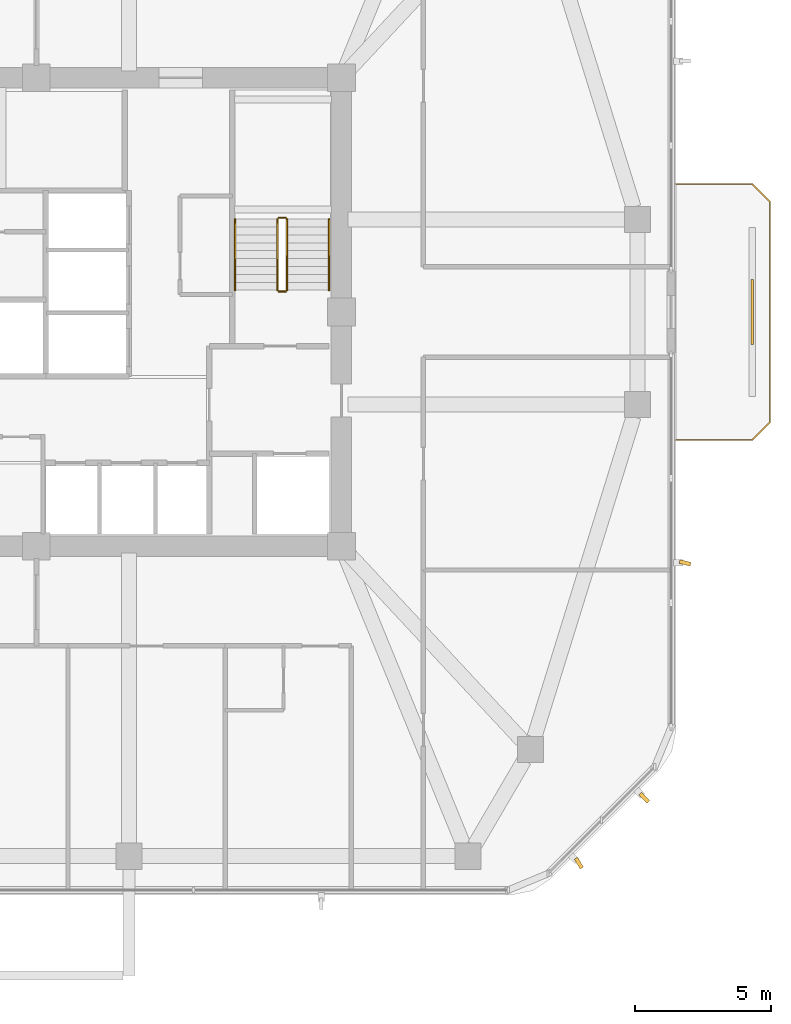
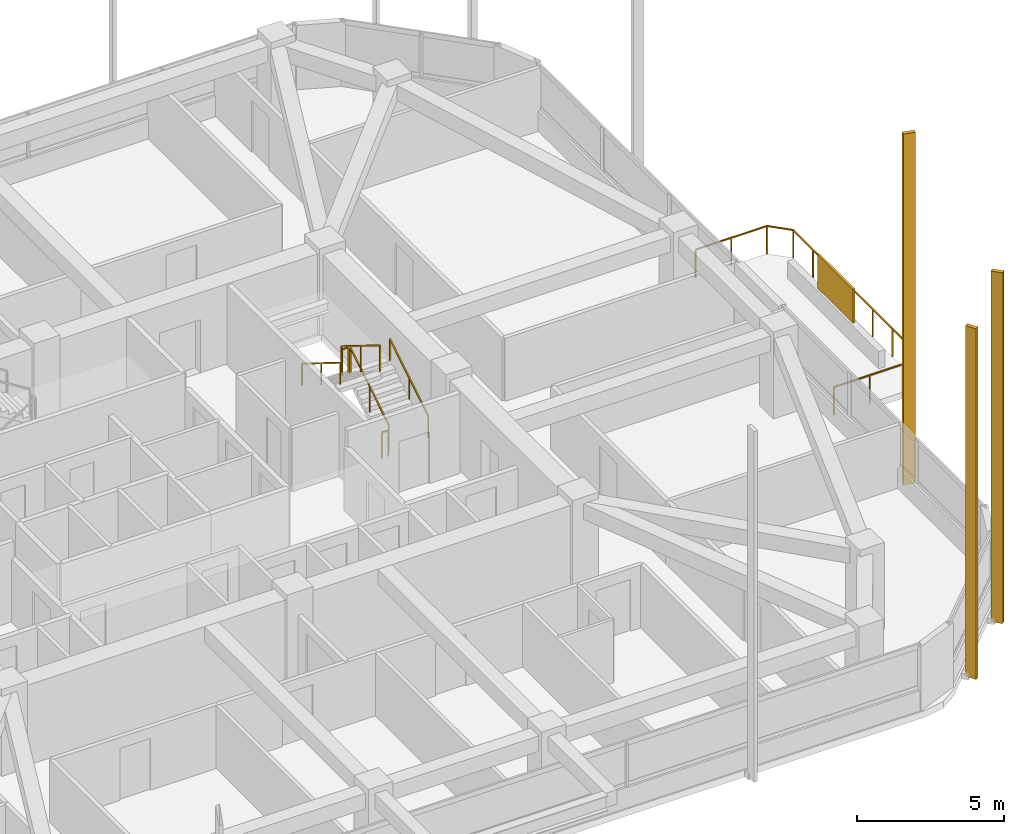
# One storey, part 13 of 14: 7 railings, 4 shading devices.
"""IFC4 building model written with IfcOpenShell, lengths in metres."""

from ifc_helpers import new_model, si_unit, derived_unit, direction, frame, origin, origin_2d, place, context, subcontext, project, spatial, rectangle, extrude, material, layer, layer_set, type_object, element, save


model = new_model("IFC4")

# Units and contexts
model_context = context("Model", 3, precision=1e-05, world=origin(), true_north=direction((0.0, 1.0)))
body_context = subcontext(model_context, "Body", "Model", "MODEL_VIEW")
ifc_project = project(units=[si_unit("LENGTHUNIT", "METRE"), si_unit("AREAUNIT", "SQUARE_METRE"), si_unit("VOLUMEUNIT", "CUBIC_METRE"), si_unit("PLANEANGLEUNIT", "RADIAN"), si_unit("MASSUNIT", "GRAM", prefix="KILO"), derived_unit("THERMALTRANSMITTANCEUNIT", [(si_unit("POWERUNIT", "WATT"), 1), (si_unit("LENGTHUNIT", "METRE"), -2), (si_unit("THERMODYNAMICTEMPERATUREUNIT", "KELVIN"), -1)])], contexts=[model_context])

# Site, building, storey
site_placement = place(None, origin())
site = spatial("IfcSite", under=ifc_project, at=site_placement, CompositionType="ELEMENT")
building_placement = place(site_placement, origin())
building = spatial("IfcBuilding", under=site, at=building_placement, Name="Koralith Skygarden Medical Center", CompositionType="ELEMENT")
storey_placement = place(building_placement, frame((0.0, 0.0, 160.02001953125)))
storey = spatial("IfcBuildingStorey", under=building, at=storey_placement, Name="L41", CompositionType="ELEMENT", Elevation=160.02001953125)

# Shading devices
ifc_material_1 = material(Name="Aluminium 6063-T6", Category="aluminium")
shading_device_type_1 = type_object("IfcShadingDeviceType", Name="Limestone-Clad Solar Storm Fin 420", PredefinedType="USERDEFINED", material=ifc_material_1)
for number, where, z_axis, x_axis, name in (
    (1, (56.91796875, 5.66796875, -0.2001953125), (0.0, 0.0, 1.0), (0.515157753022, -0.857095379465, 0.0), "L41 SE Harmonic Solar Storm Fin 1"),
    (2, (59.31591796875, 8.06591796875, -0.2001953125), (0.0, 0.0, 1.0), (0.701120859113, -0.713042453797, 0.0), "L41 SE Harmonic Solar Storm Fin 2"),
    (3, (60.81396484375, 16.68994140625, -0.2001953125), (0.0, 0.0, 1.0), (0.970329495487, -0.241786414401, 0.0), "L41 E Harmonic Solar Storm Fin 1"),
):
    element("IfcShadingDevice", number, at=place(storey_placement, frame(where, z_axis=z_axis, x_axis=x_axis)), inside=storey, type_object=shading_device_type_1, Name=name, ObjectType="SOLAR FIN", PredefinedType="USERDEFINED", context=body_context, shape_type="SweptSolid", body=[
        extrude(rectangle(XDim=0.419921875, YDim=0.139892578125, at=origin_2d()), origin(), (0.0, 0.0, 1.0), 14.550048828125),
    ])

# Railing
ifc_material_2 = material(Name="Steel ASTM A500 Grade C", Category="steel")
railing_type_1 = type_object("IfcRailingType", Name="Outdoor Terrace & Balcony Safety Guardrail 1180", PredefinedType="GUARDRAIL", material=ifc_material_2)
railing_1_placement = place(storey_placement, frame((60.48388671875, 21.199951171875, 0.0)))
element("IfcRailing", 4, at=railing_1_placement, inside=storey, type_object=railing_type_1, Name="L41 E Balcony Perimeter Guardrail", PredefinedType="GUARDRAIL", context=body_context, shape_type="SweptSolid", body=[
    extrude(rectangle(XDim=0.050048828125, YDim=0.050048828125, at=origin_2d()), frame((0.001953125, 0.0, 1.15478515625), z_axis=(1.0, 0.0, 0.0), x_axis=(0.0, 1.0, 0.0)), (0.0, 0.0, 1.0), 2.796142578125),
    extrude(rectangle(XDim=0.050048828125, YDim=0.050048828125, at=origin_2d()), frame((2.801513671875, 0.00146484375, 1.15478515625), z_axis=(0.707106781187, 0.707106781187, 0.0), x_axis=(-0.707106781187, 0.707106781187, 0.0)), (0.0, 0.0, 1.0), 0.91552734375),
    extrude(rectangle(XDim=0.050048828125, YDim=0.050048828125, at=origin_2d()), frame((3.4501953125, 0.652099609375, 1.15478515625), z_axis=(0.0, 1.0, 0.0), x_axis=(-1.0, 0.0, 0.0)), (0.0, 0.0, 1.0), 8.095947265625),
    extrude(rectangle(XDim=0.050048828125, YDim=0.050048828125, at=origin_2d()), frame((3.44873046875, 8.75146484375, 1.15478515625), z_axis=(-0.707106781187, 0.707106781187, 0.0), x_axis=(-0.707106781187, -0.707106781187, 0.0)), (0.0, 0.0, 1.0), 0.91552734375),
    extrude(rectangle(XDim=0.050048828125, YDim=0.050048828125, at=origin_2d()), frame((2.798095703125, 9.400146484375, 1.15478515625), z_axis=(-1.0, 0.0, 0.0), x_axis=(0.0, -1.0, 0.0)), (0.0, 0.0, 1.0), 2.796142578125),
    extrude(rectangle(XDim=0.0419921875, YDim=0.0419921875, at=origin_2d()), origin(), (0.0, 0.0, 1.0), 1.1279296875),
    extrude(rectangle(XDim=0.0419921875, YDim=0.0419921875, at=origin_2d()), frame((1.39990234375, 0.0, 0.0)), (0.0, 0.0, 1.0), 1.1279296875),
    extrude(rectangle(XDim=0.0419921875, YDim=0.0419921875, at=origin_2d()), frame((2.800048828125, 0.0, 0.0)), (0.0, 0.0, 1.0), 1.1279296875),
    extrude(rectangle(XDim=0.0419921875, YDim=0.0419921875, at=origin_2d()), frame((3.4501953125, 0.650146484375, 0.0)), (0.0, 0.0, 1.0), 1.1279296875),
    extrude(rectangle(XDim=0.0419921875, YDim=0.0419921875, at=origin_2d()), frame((3.4501953125, 2.0, 0.0)), (0.0, 0.0, 1.0), 1.1279296875),
    extrude(rectangle(XDim=0.0419921875, YDim=0.0419921875, at=origin_2d()), frame((3.4501953125, 3.35009765625, 0.0)), (0.0, 0.0, 1.0), 1.1279296875),
    extrude(rectangle(XDim=0.0419921875, YDim=0.0419921875, at=origin_2d()), frame((3.4501953125, 4.7001953125, 0.0)), (0.0, 0.0, 1.0), 1.1279296875),
    extrude(rectangle(XDim=0.0419921875, YDim=0.0419921875, at=origin_2d()), frame((3.4501953125, 6.050048828125, 0.0)), (0.0, 0.0, 1.0), 1.1279296875),
    extrude(rectangle(XDim=0.0419921875, YDim=0.0419921875, at=origin_2d()), frame((3.4501953125, 7.39990234375, 0.0)), (0.0, 0.0, 1.0), 1.1279296875),
    extrude(rectangle(XDim=0.0419921875, YDim=0.0419921875, at=origin_2d()), frame((3.4501953125, 8.75, 0.0)), (0.0, 0.0, 1.0), 1.1279296875),
    extrude(rectangle(XDim=0.0419921875, YDim=0.0419921875, at=origin_2d()), frame((2.800048828125, 9.400146484375, 0.0)), (0.0, 0.0, 1.0), 1.1279296875),
    extrude(rectangle(XDim=0.0419921875, YDim=0.0419921875, at=origin_2d()), frame((1.39990234375, 9.400146484375, 0.0)), (0.0, 0.0, 1.0), 1.1279296875),
    extrude(rectangle(XDim=0.0419921875, YDim=0.0419921875, at=origin_2d()), frame((0.0, 9.400146484375, 0.0)), (0.0, 0.0, 1.0), 1.1279296875),
])

# Shading device
ifc_layer = layer(ifc_material_1, 0.080078125)
ifc_layer_set = layer_set([ifc_layer], Name="Aluminium 6063-T6")
shading_device_type_2 = type_object("IfcShadingDeviceType", Name="Perforated Biophilic Balcony Trellis Screen", PredefinedType="USERDEFINED", material=ifc_layer_set)
shading_device_placement = place(storey_placement, frame((63.283935546875, 25.89990234375, 0.719970703125), z_axis=(0.0, 0.0, 1.0), x_axis=(0.0, 1.0, 0.0)))
element("IfcShadingDevice", 5, at=shading_device_placement, inside=storey, type_object=shading_device_type_2, Name="L41 E Biophilic Balcony Trellis Screen", ObjectType="HURRICANE SCREEN", PredefinedType="USERDEFINED", context=body_context, shape_type="SweptSolid", body=[
    extrude(rectangle(XDim=2.39990234375, YDim=0.080078125, at=origin_2d()), origin(), (0.0, 0.0, 1.0), 1.39990234375),
])

# Railings
railing_type_2 = type_object("IfcRailingType", Name="Stair Flight Tubular Handrail 920", PredefinedType="HANDRAIL", material=ifc_material_2)
railing_2_placement = place(storey_placement, frame((47.75, 26.699951171875, 0.179931640625)))
element("IfcRailing", 6, at=railing_2_placement, inside=storey, type_object=railing_type_2, Name="L41 ST2 stair handrail 1", PredefinedType="HANDRAIL", context=body_context, shape_type="SweptSolid", body=[
    extrude(rectangle(XDim=0.050048828125, YDim=0.050048828125, at=origin_2d()), frame((0.0, 0.001708984375, 0.89599609375), z_axis=(0.0, 0.849632798774, 0.527374731332), x_axis=(-1.0, 0.0, 0.0)), (0.0, 0.0, 1.0), 3.068115234375),
    extrude(rectangle(XDim=0.0419921875, YDim=0.0419921875, at=origin_2d()), origin(), (0.0, 0.0, 1.0), 0.867919921875),
    extrude(rectangle(XDim=0.0419921875, YDim=0.0419921875, at=origin_2d()), frame((0.0, 1.30517578125, 0.81005859375)), (0.0, 0.0, 1.0), 0.867919921875),
    extrude(rectangle(XDim=0.0419921875, YDim=0.0419921875, at=origin_2d()), frame((0.0, 2.610107421875, 1.6201171875)), (0.0, 0.0, 1.0), 0.867919921875),
])
railing_3_placement = place(storey_placement, frame((44.300048828125, 29.31005859375, 1.97998046875)))
element("IfcRailing", 7, at=railing_3_placement, inside=storey, type_object=railing_type_2, Name="L41 ST2 stair handrail 2", PredefinedType="HANDRAIL", context=body_context, shape_type="SweptSolid", body=[
    extrude(rectangle(XDim=0.050048828125, YDim=0.050048828125, at=origin_2d()), frame((0.0, -0.001708984375, 0.89599609375), z_axis=(0.0, -0.849632798774, 0.527374731332), x_axis=(1.0, 0.0, 0.0)), (0.0, 0.0, 1.0), 3.068115234375),
    extrude(rectangle(XDim=0.0419921875, YDim=0.0419921875, at=origin_2d()), origin(), (0.0, 0.0, 1.0), 0.867919921875),
    extrude(rectangle(XDim=0.0419921875, YDim=0.0419921875, at=origin_2d()), frame((0.0, -1.30517578125, 0.81005859375)), (0.0, 0.0, 1.0), 0.867919921875),
    extrude(rectangle(XDim=0.0419921875, YDim=0.0419921875, at=origin_2d()), frame((0.0, -2.610107421875, 1.6201171875)), (0.0, 0.0, 1.0), 0.867919921875),
])
railing_type_3 = type_object("IfcRailingType", Name="Stair Well Safety Guardrail 1100", PredefinedType="GUARDRAIL", material=ifc_material_2)
railing_4_placement = place(storey_placement, frame((46.199951171875, 26.699951171875, 0.179931640625)))
element("IfcRailing", 8, at=railing_4_placement, inside=storey, type_object=railing_type_3, Name="L41 ST2 stair guard 1", PredefinedType="GUARDRAIL", context=body_context, shape_type="SweptSolid", body=[
    extrude(rectangle(XDim=0.050048828125, YDim=0.050048828125, at=origin_2d()), frame((0.0, 0.001708984375, 1.076171875), z_axis=(0.0, 0.849632798774, 0.527374731332), x_axis=(-1.0, 0.0, 0.0)), (0.0, 0.0, 1.0), 3.068115234375),
    extrude(rectangle(XDim=0.0419921875, YDim=0.0419921875, at=origin_2d()), origin(), (0.0, 0.0, 1.0), 1.048095703125),
    extrude(rectangle(XDim=0.0419921875, YDim=0.0419921875, at=origin_2d()), frame((0.0, 1.30517578125, 0.81005859375)), (0.0, 0.0, 1.0), 1.048095703125),
    extrude(rectangle(XDim=0.0419921875, YDim=0.0419921875, at=origin_2d()), frame((0.0, 2.610107421875, 1.6201171875)), (0.0, 0.0, 1.0), 1.048095703125),
])
railing_5_placement = place(storey_placement, frame((46.14990234375, 29.360107421875, 1.800048828125)))
element("IfcRailing", 9, at=railing_5_placement, inside=storey, type_object=railing_type_3, Name="L41 ST2 stair guard 2", PredefinedType="GUARDRAIL", context=body_context, shape_type="SweptSolid", body=[
    extrude(rectangle(XDim=0.050048828125, YDim=0.050048828125, at=origin_2d()), frame((-0.001953125, 0.0, 1.0751953125), z_axis=(-1.0, 0.0, 0.0), x_axis=(0.0, -1.0, 0.0)), (0.0, 0.0, 1.0), 0.24609375),
    extrude(rectangle(XDim=0.0419921875, YDim=0.0419921875, at=origin_2d()), origin(), (0.0, 0.0, 1.0), 1.048095703125),
    extrude(rectangle(XDim=0.0419921875, YDim=0.0419921875, at=origin_2d()), frame((-0.25, 0.0, 0.0)), (0.0, 0.0, 1.0), 1.048095703125),
])
railing_6_placement = place(storey_placement, frame((45.85009765625, 29.31005859375, 1.97998046875)))
element("IfcRailing", 10, at=railing_6_placement, inside=storey, type_object=railing_type_3, Name="L41 ST2 stair guard 3", PredefinedType="GUARDRAIL", context=body_context, shape_type="SweptSolid", body=[
    extrude(rectangle(XDim=0.050048828125, YDim=0.050048828125, at=origin_2d()), frame((0.0, -0.001708984375, 1.076171875), z_axis=(0.0, -0.849632798774, 0.527374731332), x_axis=(1.0, 0.0, 0.0)), (0.0, 0.0, 1.0), 3.068115234375),
    extrude(rectangle(XDim=0.0419921875, YDim=0.0419921875, at=origin_2d()), origin(), (0.0, 0.0, 1.0), 1.048095703125),
    extrude(rectangle(XDim=0.0419921875, YDim=0.0419921875, at=origin_2d()), frame((0.0, -1.30517578125, 0.81005859375)), (0.0, 0.0, 1.0), 1.048095703125),
    extrude(rectangle(XDim=0.0419921875, YDim=0.0419921875, at=origin_2d()), frame((0.0, -2.610107421875, 1.6201171875)), (0.0, 0.0, 1.0), 1.048095703125),
])
railing_7_placement = place(storey_placement, frame((46.14990234375, 26.64990234375, 0.0)))
element("IfcRailing", 11, at=railing_7_placement, inside=storey, type_object=railing_type_3, Name="L41 ST2 stair guard 4", PredefinedType="GUARDRAIL", context=body_context, shape_type="SweptSolid", body=[
    extrude(rectangle(XDim=0.050048828125, YDim=0.050048828125, at=origin_2d()), frame((-0.001953125, 0.0, 1.0751953125), z_axis=(-1.0, 0.0, 0.0), x_axis=(0.0, -1.0, 0.0)), (0.0, 0.0, 1.0), 0.24609375),
    extrude(rectangle(XDim=0.0419921875, YDim=0.0419921875, at=origin_2d()), origin(), (0.0, 0.0, 1.0), 1.048095703125),
    extrude(rectangle(XDim=0.0419921875, YDim=0.0419921875, at=origin_2d()), frame((-0.25, 0.0, 0.0)), (0.0, 0.0, 1.0), 1.048095703125),
])

save(model, "model.ifc")
